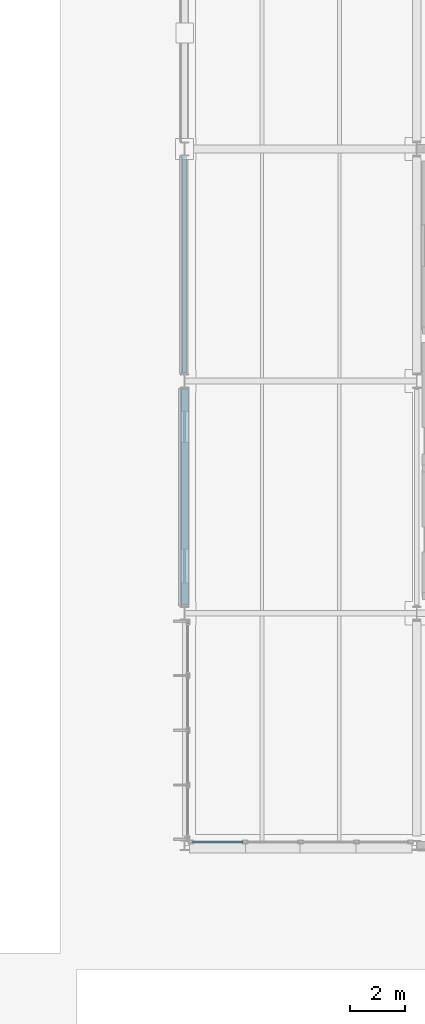
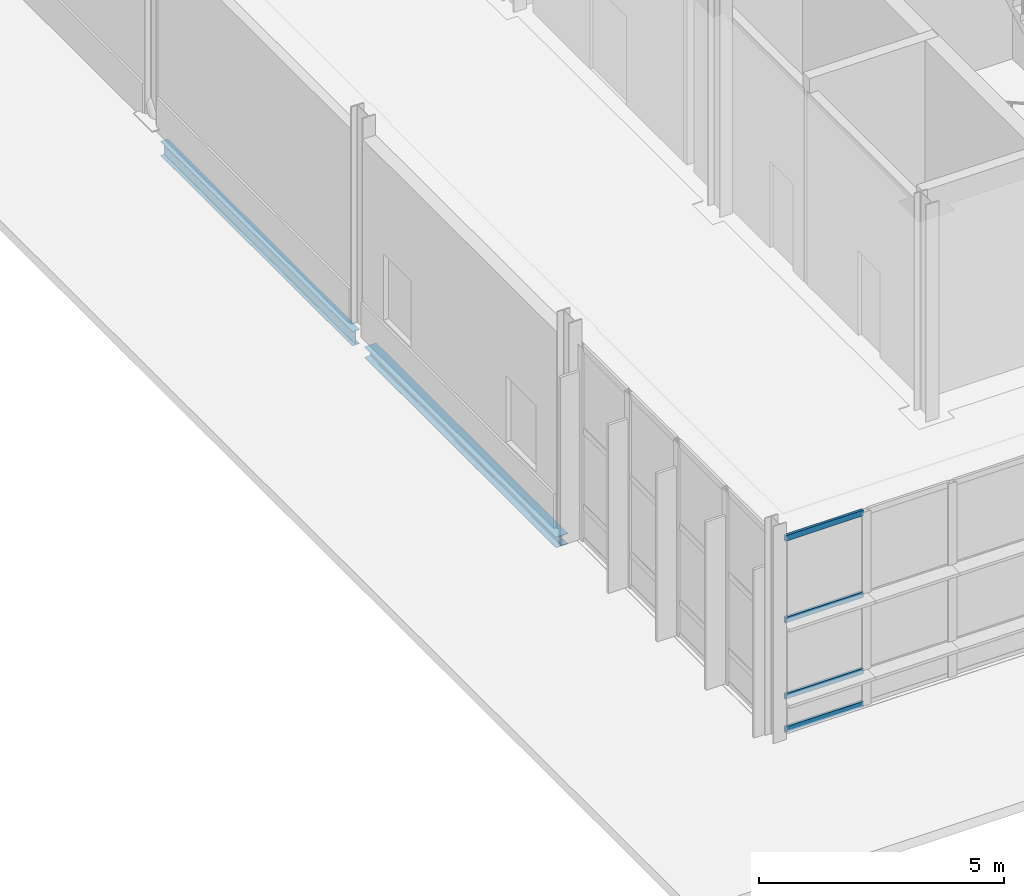
# One storey, part 52 of 124: 4 members, 2 beams, 1 element without a shape of its own.
"""IFC4 building model written with IfcOpenShell, lengths in metres."""

import ifcopenshell
import ifcopenshell.guid

model = None  # the IFC model being written
_history = None  # IfcOwnerHistory: only IFC2X3 demands one
_inside = {}  # id of a spatial element -> (the spatial element, [elements in it])
_under = {}  # id of a project, library or spatial element -> (it, [spatial elements below it])
_declared = {}  # id of a project -> (the project, [libraries it declares])
_typed = {}  # id of a type object -> (the type object, [elements of that type])
_made_of = {}  # id of a material, layer set ... -> (it, [elements and type objects made of it])


def new_model(schema):
    """Start an empty IFC model of exactly this schema.

    Asked for "IFC4X3", IfcOpenShell would pick the latest addendum, in which some entities
    have other attributes; the version numbers below select the first issue.
    IFC2X3 requires an IfcOwnerHistory on every rooted entity: one is made here for all.
    """
    global model, _history
    if schema == "IFC4X3":
        model = ifcopenshell.file(schema_version=(4, 3, 0, 0))
    else:
        model = ifcopenshell.file(schema=schema)
    _inside.clear()
    _under.clear()
    _declared.clear()
    _typed.clear()
    _made_of.clear()
    _history = None
    if model.schema == "IFC2X3":
        org = make("IfcOrganization", Name="unknown")
        user = make(
            "IfcPersonAndOrganization",
            ThePerson=make("IfcPerson", FamilyName="unknown"),
            TheOrganization=org,
        )
        app = make(
            "IfcApplication",
            ApplicationDeveloper=org,
            Version="unknown",
            ApplicationFullName="unknown",
            ApplicationIdentifier="unknown",
        )
        _history = make(
            "IfcOwnerHistory",
            OwningUser=user,
            OwningApplication=app,
            ChangeAction="ADDED",
            CreationDate=0,
        )
    return model


def make(cls, **values):
    """One entity of the class cls with the attributes given. An attribute that is None is left unset."""
    return model.create_entity(
        cls, **{name: value for name, value in values.items() if value is not None}
    )


def rooted(cls, **values):
    """An entity with a GlobalId (a new one), such as an element, a storey or a relation."""
    return make(cls, GlobalId=ifcopenshell.guid.new(), OwnerHistory=_history, **values)


def si_unit(unit_type, name, prefix=None):
    """IfcSIUnit, for example si_unit("LENGTHUNIT", "METRE", prefix="MILLI")."""
    return make("IfcSIUnit", UnitType=unit_type, Prefix=prefix, Name=name)


def assignment(units):
    """IfcUnitAssignment: the units of a project."""
    return None if units is None else make("IfcUnitAssignment", Units=units)


def point(xyz):
    """IfcCartesianPoint."""
    return None if xyz is None else make("IfcCartesianPoint", Coordinates=xyz)


def direction(xyz):
    """IfcDirection."""
    return None if xyz is None else make("IfcDirection", DirectionRatios=xyz)


def frame(location, z_axis=None, x_axis=None):
    """IfcAxis2Placement3D, a coordinate frame: its origin and axes. An axis left out is left unset."""
    return make(
        "IfcAxis2Placement3D",
        Location=point(location),
        Axis=direction(z_axis),
        RefDirection=direction(x_axis),
    )


def frame_2d(location, x_axis=None):
    """IfcAxis2Placement2D, a coordinate frame in the plane: its origin and x axis."""
    return make(
        "IfcAxis2Placement2D", Location=point(location), RefDirection=direction(x_axis)
    )


def origin():
    """The frame at (0, 0, 0) with its axes left unset."""
    return frame((0.0, 0.0, 0.0))


def origin_2d():
    """The frame at (0, 0) in the plane with its x axis left unset."""
    return frame_2d((0.0, 0.0))


def place(relative_to, where):
    """IfcLocalPlacement: puts the frame where relative to a parent placement (None: the world)."""
    return make(
        "IfcLocalPlacement", PlacementRelTo=relative_to, RelativePlacement=where
    )


def context(
    kind, dimensions, precision=None, world=None, true_north=None, identifier=None
):
    """IfcGeometricRepresentationContext, for example the 3D "Model" context."""
    return make(
        "IfcGeometricRepresentationContext",
        ContextIdentifier=identifier,
        ContextType=kind,
        CoordinateSpaceDimension=dimensions,
        Precision=precision,
        WorldCoordinateSystem=world,
        TrueNorth=true_north,
    )


def subcontext(parent, identifier, kind, view, scale=None):
    """IfcGeometricRepresentationSubContext, for example "Body" below "Model"."""
    return make(
        "IfcGeometricRepresentationSubContext",
        ContextIdentifier=identifier,
        ContextType=kind,
        ParentContext=parent,
        TargetScale=scale,
        TargetView=view,
    )


def project(units=None, contexts=None):
    """IfcProject with its units and contexts."""
    return rooted(
        "IfcProject",
        Name="project",
        RepresentationContexts=contexts,
        UnitsInContext=assignment(units),
    )


def spatial(cls, under=None, at=None, **own):
    """A site, building, storey or space (cls), placed at a placement, below another one or the project."""
    s = rooted(cls, ObjectPlacement=at, **own)
    if under is not None:
        _under.setdefault(under.id(), (under, []))[1].append(s)
    return s


def profile(cls, at=None, kind="AREA", **sizes):
    """A parametric profile (cls). Its sizes go by their IFC names, for example OverallWidth=200.0."""
    return make(cls, ProfileType=kind, Position=at, **sizes)


def hollow_rectangle(**sizes):
    """IfcRectangleHollowProfileDef."""
    return profile("IfcRectangleHollowProfileDef", **sizes)


def i_section(**sizes):
    """IfcIShapeProfileDef."""
    return profile("IfcIShapeProfileDef", **sizes)


def extrude(swept, where, along, depth):
    """IfcExtrudedAreaSolid: the profile swept, set in the frame where, extruded along a direction by depth."""
    return make(
        "IfcExtrudedAreaSolid",
        SweptArea=swept,
        Position=where,
        ExtrudedDirection=direction(along),
        Depth=depth,
    )


def shape(context_of_items, identifier, shape_type, items):
    """IfcShapeRepresentation: the items that make up one representation, for example the "Body"."""
    return make(
        "IfcShapeRepresentation",
        ContextOfItems=context_of_items,
        RepresentationIdentifier=identifier,
        RepresentationType=shape_type,
        Items=items,
    )


def material(Name=None, Category=None):
    """IfcMaterial."""
    return make("IfcMaterial", Name=Name, Category=Category)


def material_profile(
    of_material, cross_section, Name=None, Category=None, Priority=None
):
    """IfcMaterialProfile: a cross section and its material."""
    return make(
        "IfcMaterialProfile",
        Name=Name,
        Material=of_material,
        Profile=cross_section,
        Priority=Priority,
        Category=Category,
    )


def profile_set(profiles, Name=None, composite=None):
    """IfcMaterialProfileSet."""
    return make(
        "IfcMaterialProfileSet",
        Name=Name,
        MaterialProfiles=profiles,
        CompositeProfile=composite,
    )


def made_of(thing, what):
    """Note that an element or type object is made of a material, layer set ...; save() writes the relation."""
    if what is not None:
        _made_of.setdefault(what.id(), (what, []))[1].append(thing)
    return thing


def type_object(cls, material=None, **own):
    """A type object (cls), such as IfcWallType, which elements share."""
    return made_of(rooted(cls, **own), material)


def element(
    cls,
    number,
    at=None,
    inside=None,
    cuts=None,
    type_object=None,
    material=None,
    context=None,
    identifier="Body",
    shape_type=None,
    held_by="IfcProductDefinitionShape",
    body=None,
    shapes=None,
    **own,
):
    """One element of the class cls, such as IfcWall. Its Tag is "e" and its number.

    at: its placement. inside: the storey or other place that contains it. cuts: it is an
    opening in that element (IfcRelVoidsElement). A single representation is given by context,
    identifier, shape_type and body (its items); several are given by shapes. held_by: the class
    of the entity that holds the representations. save() writes the other relations.
    """
    e = rooted(cls, Tag="e%d" % number, ObjectPlacement=at, **own)
    if body is not None:
        shapes = [shape(context, identifier, shape_type, body)]
    if shapes is not None:
        e.Representation = make(held_by, Representations=shapes)
    if inside is not None:
        _inside.setdefault(inside.id(), (inside, []))[1].append(e)
    if cuts is not None:
        rooted(
            "IfcRelVoidsElement", RelatingBuildingElement=cuts, RelatedOpeningElement=e
        )
    if type_object is not None:
        _typed.setdefault(type_object.id(), (type_object, []))[1].append(e)
    return made_of(e, material)


def aggregate(whole, parts):
    """IfcRelAggregates: a whole, such as a stair, and the parts it consists of."""
    return rooted("IfcRelAggregates", RelatingObject=whole, RelatedObjects=parts)


def save(model, path):
    """Write the relations noted so far, then the file.

    IfcRelAggregates (storeys below a building ...), IfcRelContainedInSpatialStructure (elements
    in a storey), IfcRelDefinesByType, IfcRelAssociatesMaterial and IfcRelDeclares: one each for
    every whole, place, type object, material and project.
    """
    for whole, parts in _under.values():
        aggregate(whole, parts)
    for where, things in _inside.values():
        rooted(
            "IfcRelContainedInSpatialStructure",
            RelatedElements=things,
            RelatingStructure=where,
        )
    for kind, things in _typed.values():
        rooted("IfcRelDefinesByType", RelatedObjects=things, RelatingType=kind)
    for what, things in _made_of.values():
        rooted("IfcRelAssociatesMaterial", RelatedObjects=things, RelatingMaterial=what)
    for by, libraries in _declared.values():
        rooted("IfcRelDeclares", RelatingContext=by, RelatedDefinitions=libraries)
    model.write(path)


model = new_model("IFC4")

# Units and contexts
model_context = context("Model", 3, precision=1e-05, world=origin(), true_north=direction((0.0, 1.0)))
body_context = subcontext(model_context, "Body", "Model", "MODEL_VIEW")
ifc_project = project(units=[si_unit("LENGTHUNIT", "METRE"), si_unit("AREAUNIT", "SQUARE_METRE"), si_unit("VOLUMEUNIT", "CUBIC_METRE"), si_unit("PLANEANGLEUNIT", "RADIAN"), si_unit("MASSUNIT", "GRAM", prefix="KILO")], contexts=[model_context])

# Site, building, storey
site_placement = place(None, origin())
site = spatial("IfcSite", under=ifc_project, at=site_placement, CompositionType="ELEMENT")
building_placement = place(site_placement, origin())
building = spatial("IfcBuilding", under=site, at=building_placement, Name="Mersafa Astral City Hall", CompositionType="ELEMENT")
storey_placement = place(building_placement, origin())
storey = spatial("IfcBuildingStorey", under=building, at=storey_placement, Name="L00", CompositionType="ELEMENT", Elevation=0.0)

# Curtain wall, members
ifc_material_1 = material(Name="Anodised bronze aluminium framing", Category="aluminium")
curtain_wall_type = type_object("IfcCurtainWallType", Name="ENV-CW-6", PredefinedType="USERDEFINED", material=ifc_material_1)
curtain_wall_placement = place(storey_placement, origin())
curtain_wall = element("IfcCurtainWall", 1, at=curtain_wall_placement, inside=storey, type_object=curtain_wall_type, Name="L00 Unitised solar curtain wall 23", ObjectType="UNITISED CURTAIN WALL", PredefinedType="USERDEFINED")
ifc_material_profile_1 = material_profile(ifc_material_1, hollow_rectangle(XDim=0.06005859375, YDim=0.139892578125, WallThickness=0.00390625, at=origin_2d()), Name="RHS 60x140x4")
ifc_profile_set_1 = profile_set([ifc_material_profile_1], Name="Anodised bronze aluminium framing")
member_type = type_object("IfcMemberType", Name="ENV-CW-TRN-1", PredefinedType="USERDEFINED", material=ifc_profile_set_1)
member_1_placement = place(storey_placement, frame((159.882080078125, 42.1201171875, 0.028076171875), z_axis=(1.0, 0.0, 0.0), x_axis=(0.0, 1.0, 0.0)))
member_1 = element("IfcMember", 2, at=member_1_placement, type_object=member_type, Name="CW-6 transom 1.1", ObjectType="TRANSOM", PredefinedType="USERDEFINED", context=body_context, shape_type="SweptSolid", body=[
    extrude(hollow_rectangle(XDim=0.06005859375, YDim=0.139892578125, WallThickness=0.00390625, at=origin_2d()), origin(), (0.0, 0.0, 1.0), 1.8388671875),
])
member_2_placement = place(storey_placement, frame((159.882080078125, 42.1201171875, 0.85009765625), z_axis=(1.0, 0.0, 0.0), x_axis=(0.0, 1.0, 0.0)))
member_2 = element("IfcMember", 3, at=member_2_placement, type_object=member_type, Name="CW-6 transom 1.2", ObjectType="TRANSOM", PredefinedType="USERDEFINED", context=body_context, shape_type="SweptSolid", body=[
    extrude(hollow_rectangle(XDim=0.06005859375, YDim=0.139892578125, WallThickness=0.00390625, at=origin_2d()), origin(), (0.0, 0.0, 1.0), 1.8388671875),
])
member_3_placement = place(storey_placement, frame((159.882080078125, 42.1201171875, 2.75), z_axis=(1.0, 0.0, 0.0), x_axis=(0.0, 1.0, 0.0)))
member_3 = element("IfcMember", 4, at=member_3_placement, type_object=member_type, Name="CW-6 transom 1.3", ObjectType="TRANSOM", PredefinedType="USERDEFINED", context=body_context, shape_type="SweptSolid", body=[
    extrude(hollow_rectangle(XDim=0.06005859375, YDim=0.139892578125, WallThickness=0.00390625, at=origin_2d()), origin(), (0.0, 0.0, 1.0), 1.8388671875),
])
member_4_placement = place(storey_placement, frame((159.882080078125, 42.1201171875, 4.781982421875), z_axis=(1.0, 0.0, 0.0), x_axis=(0.0, 1.0, 0.0)))
member_4 = element("IfcMember", 5, at=member_4_placement, type_object=member_type, Name="CW-6 transom 1.4", ObjectType="TRANSOM", PredefinedType="USERDEFINED", context=body_context, shape_type="SweptSolid", body=[
    extrude(hollow_rectangle(XDim=0.06005859375, YDim=0.139892578125, WallThickness=0.00390625, at=origin_2d()), origin(), (0.0, 0.0, 1.0), 1.8388671875),
])
aggregate(curtain_wall, [member_1, member_2, member_3, member_4])

# Beams
ifc_material_2 = material(Name="Steel S355", Category="steel")
ifc_material_profile_2 = material_profile(ifc_material_2, i_section(OverallWidth=0.280029296875, OverallDepth=0.27001953125, WebThickness=0.008056640625, FlangeThickness=0.012939453125, FilletRadius=0.02392578125, at=origin_2d()), Name="HEA 280")
ifc_profile_set_2 = profile_set([ifc_material_profile_2], Name="Steel S355")
beam_type_1 = type_object("IfcBeamType", Name="STR-BM-SPANDREL-HEA280", PredefinedType="SPANDREL", material=ifc_profile_set_2)
beam_1_placement = place(storey_placement, frame((159.60009765625, 50.695068359375, -0.385009765625), z_axis=(0.0, 1.0, 0.0), x_axis=(-1.0, 0.0, 0.0)))
element("IfcBeam", 6, at=beam_1_placement, inside=storey, type_object=beam_type_1, Name="L00 Primary girder Y 19-6", PredefinedType="SPANDREL", context=body_context, shape_type="SweptSolid", body=[
    extrude(i_section(OverallWidth=0.280029296875, OverallDepth=0.27001953125, WebThickness=0.008056640625, FlangeThickness=0.012939453125, FilletRadius=0.02392578125, at=origin_2d()), origin(), (0.0, 0.0, 1.0), 7.809814453125),
])
ifc_material_profile_3 = material_profile(ifc_material_2, i_section(OverallWidth=0.169921875, OverallDepth=0.360107421875, WebThickness=0.008056640625, FlangeThickness=0.0126953125, FilletRadius=0.01806640625, at=origin_2d()), Name="IPE 360")
ifc_profile_set_3 = profile_set([ifc_material_profile_3], Name="Steel S355")
beam_type_2 = type_object("IfcBeamType", Name="STR-BM-SPANDREL-IPE360", PredefinedType="SPANDREL", material=ifc_profile_set_3)
beam_2_placement = place(storey_placement, frame((159.60009765625, 59.094970703125, -0.429931640625), z_axis=(0.0, 1.0, 0.0), x_axis=(-1.0, 0.0, 0.0)))
element("IfcBeam", 7, at=beam_2_placement, inside=storey, type_object=beam_type_2, Name="L00 Primary girder Y 19-7", PredefinedType="SPANDREL", context=body_context, shape_type="SweptSolid", body=[
    extrude(i_section(OverallWidth=0.169921875, OverallDepth=0.360107421875, WebThickness=0.008056640625, FlangeThickness=0.0126953125, FilletRadius=0.01806640625, at=origin_2d()), origin(), (0.0, 0.0, 1.0), 7.81005859375),
])

save(model, "model.ifc")
